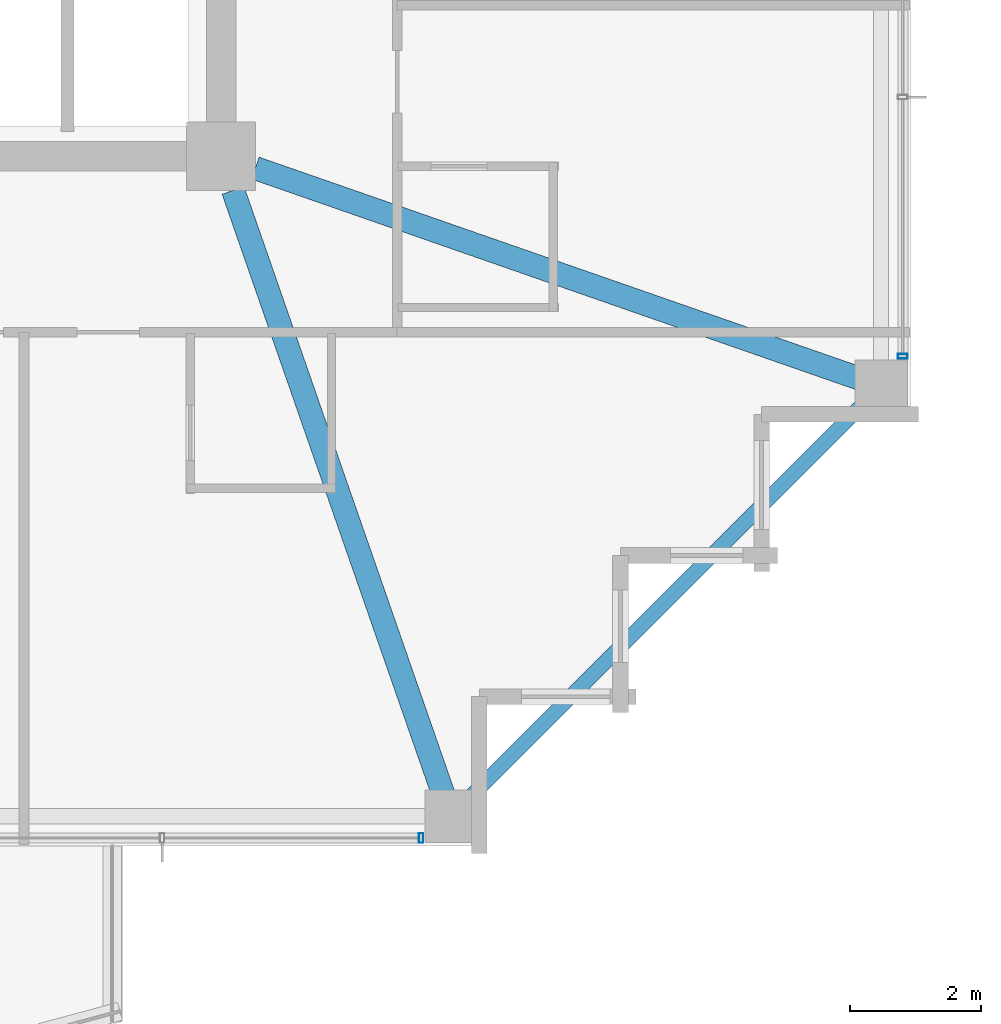
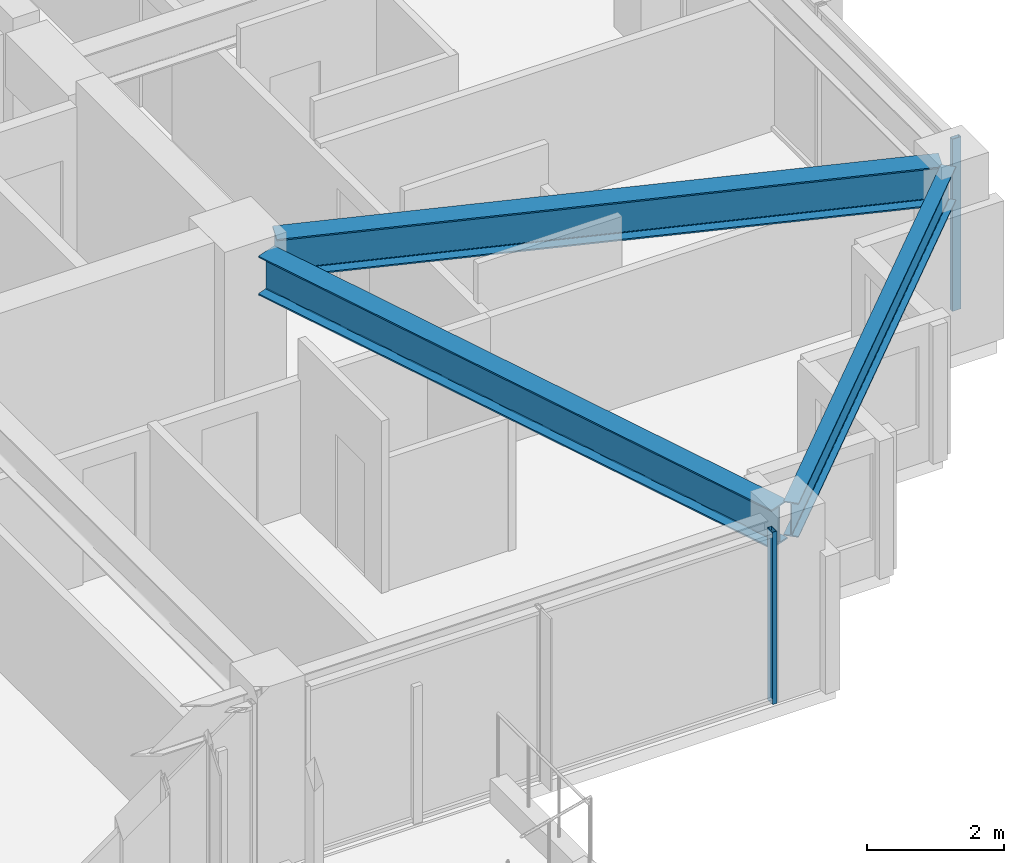
# One storey, part 12 of 38: 3 beams, 2 members, 2 elements without a shape of their own.
"""IFC4 building model written with IfcOpenShell, lengths in metres."""

from ifc_helpers import new_model, si_unit, direction, frame, origin, origin_2d, place, context, subcontext, project, spatial, hollow_rectangle, i_section, extrude, material, material_profile, profile_set, type_object, element, aggregate, save


model = new_model("IFC4")

# Units and contexts
model_context = context("Model", 3, precision=1e-05, world=origin(), true_north=direction((0.0, 1.0)))
body_context = subcontext(model_context, "Body", "Model", "MODEL_VIEW")
ifc_project = project(units=[si_unit("LENGTHUNIT", "METRE"), si_unit("AREAUNIT", "SQUARE_METRE"), si_unit("VOLUMEUNIT", "CUBIC_METRE"), si_unit("PLANEANGLEUNIT", "RADIAN"), si_unit("MASSUNIT", "GRAM", prefix="KILO")], contexts=[model_context])

# Site, building, storey
site_placement = place(None, origin())
site = spatial("IfcSite", under=ifc_project, at=site_placement, CompositionType="ELEMENT")
building_placement = place(site_placement, origin())
building = spatial("IfcBuilding", under=site, at=building_placement, Name="Kolvaren Belvedere", CompositionType="ELEMENT")
storey_placement = place(building_placement, frame((0.0, 0.0, 213.0)))
storey = spatial("IfcBuildingStorey", under=building, at=storey_placement, Name="L62", CompositionType="ELEMENT", Elevation=213.0)

# Beams
ifc_material_1 = material(Name="Structural steel ASTM A992 Grade 50", Category="steel")
ifc_material_profile_1 = material_profile(ifc_material_1, i_section(OverallWidth=0.35498046875, OverallDepth=0.696044921875, WebThickness=0.015380859375, FlangeThickness=0.02490234375, FilletRadius=0.02197265625, at=origin_2d()), Name="W27X146")
ifc_profile_set_1 = profile_set([ifc_material_profile_1], Name="Structural steel ASTM A992 Grade 50")
beam_type_1 = type_object("IfcBeamType", Name="BM-GIRD-W27X146", PredefinedType="BEAM", material=ifc_profile_set_1)
for number, where, z_axis, x_axis, name in (
    (1, (10.080810546875, -10.41943359375, 2.73193359375), (0.328898147971, -0.944365399758, 0.0), (0.944365399758, 0.328898147971, 0.0), "L62 Corner Core-to-Perimeter Girder CC2-S4"),
    (2, (10.41943359375, -10.080810546875, 2.73193359375), (0.944365399758, -0.328898147971, 0.0), (0.328898147971, 0.944365399758, 0.0), "L62 Corner Core-to-Perimeter Girder CC2-E1"),
):
    element("IfcBeam", number, at=place(storey_placement, frame(where, z_axis=z_axis, x_axis=x_axis)), inside=storey, type_object=beam_type_1, Name=name, PredefinedType="BEAM", context=body_context, shape_type="SweptSolid", body=[
        extrude(i_section(OverallWidth=0.35498046875, OverallDepth=0.696044921875, WebThickness=0.015380859375, FlangeThickness=0.02490234375, FilletRadius=0.02197265625, at=origin_2d()), origin(), (0.0, 0.0, 1.0), 9.931884765625),
    ])
ifc_material_2 = material(Name="Structural steel ASTM A992 Grade 50", Category="steel")
ifc_material_profile_2 = material_profile(ifc_material_2, i_section(OverallWidth=0.22900390625, OverallDepth=0.612060546875, WebThickness=0.011962890625, FlangeThickness=0.01953125, FilletRadius=0.01806640625, at=origin_2d()), Name="W24X84")
ifc_profile_set_2 = profile_set([ifc_material_profile_2], Name="Structural steel ASTM A992 Grade 50")
beam_type_2 = type_object("IfcBeamType", Name="BM-SPAN-W24X84", PredefinedType="SPANDREL", material=ifc_profile_set_2)
beam_placement = place(storey_placement, frame((13.52734375, -19.82275390625, 2.77392578125), z_axis=(0.707106781187, 0.707106781187, 0.0), x_axis=(-0.707106781187, 0.707106781187, 0.0)))
element("IfcBeam", 3, at=beam_placement, inside=storey, type_object=beam_type_2, Name="L62 Perimeter Spandrel S4-E1", PredefinedType="SPANDREL", context=body_context, shape_type="SweptSolid", body=[
    extrude(i_section(OverallWidth=0.22900390625, OverallDepth=0.612060546875, WebThickness=0.011962890625, FlangeThickness=0.01953125, FilletRadius=0.01806640625, at=origin_2d()), origin(), (0.0, 0.0, 1.0), 8.903076171875),
])

# Curtain wall, member
ifc_material_3 = material(Name="Anodised pale-metal aluminium AA 6063-T6", Category="aluminium")
curtain_wall_type = type_object("IfcCurtainWallType", Name="CW-Z5-HIGH", PredefinedType="NOTDEFINED", material=ifc_material_3)
curtain_wall_1_placement = place(storey_placement, origin())
curtain_wall_1 = element("IfcCurtainWall", 4, at=curtain_wall_1_placement, inside=storey, type_object=curtain_wall_type, Name="L62 Unitised Curtain Wall FCW-L62-S1-B1", PredefinedType="NOTDEFINED")
ifc_material_4 = material(Name="Anodised pale-metal aluminium AA 6063-T6", Category="aluminium")
ifc_material_profile_3 = material_profile(ifc_material_4, hollow_rectangle(XDim=0.070068359375, YDim=0.14990234375, WallThickness=0.004150390625, at=origin_2d()), Name="ALU-MUL-150X70")
ifc_profile_set_3 = profile_set([ifc_material_profile_3], Name="Anodised pale-metal aluminium AA 6063-T6")
member_type = type_object("IfcMemberType", Name="CW-MUL-150", PredefinedType="MULLION", material=ifc_profile_set_3)
member_1_placement = place(storey_placement, frame((12.945068359375, -20.280029296875, 0.0), z_axis=(0.0, 0.0, 1.0), x_axis=(1.0, 0.0, 0.0)))
member_1 = element("IfcMember", 5, at=member_1_placement, type_object=member_type, Name="FCW-L62-S1-B1 Unitised Mullion 1", PredefinedType="MULLION", context=body_context, shape_type="SweptSolid", body=[
    extrude(hollow_rectangle(XDim=0.070068359375, YDim=0.14990234375, WallThickness=0.004150390625, at=origin_2d()), origin(), (0.0, 0.0, 1.0), 3.080078125),
])
aggregate(curtain_wall_1, [member_1])

curtain_wall_2_placement = place(storey_placement, origin())
curtain_wall_2 = element("IfcCurtainWall", 6, at=curtain_wall_2_placement, inside=storey, type_object=curtain_wall_type, Name="L62 Unitised Curtain Wall FCW-L62-E-B3", PredefinedType="NOTDEFINED")
member_2_placement = place(storey_placement, frame((20.280029296875, -12.945068359375, 0.0), z_axis=(0.0, 0.0, 1.0), x_axis=(0.0, 1.0, 0.0)))
member_2 = element("IfcMember", 7, at=member_2_placement, type_object=member_type, Name="FCW-L62-E-B3 Unitised Mullion 3", PredefinedType="MULLION", context=body_context, shape_type="SweptSolid", body=[
    extrude(hollow_rectangle(XDim=0.070068359375, YDim=0.14990234375, WallThickness=0.004150390625, at=origin_2d()), origin(), (0.0, 0.0, 1.0), 3.080078125),
])
aggregate(curtain_wall_2, [member_2])

save(model, "model.ifc")
